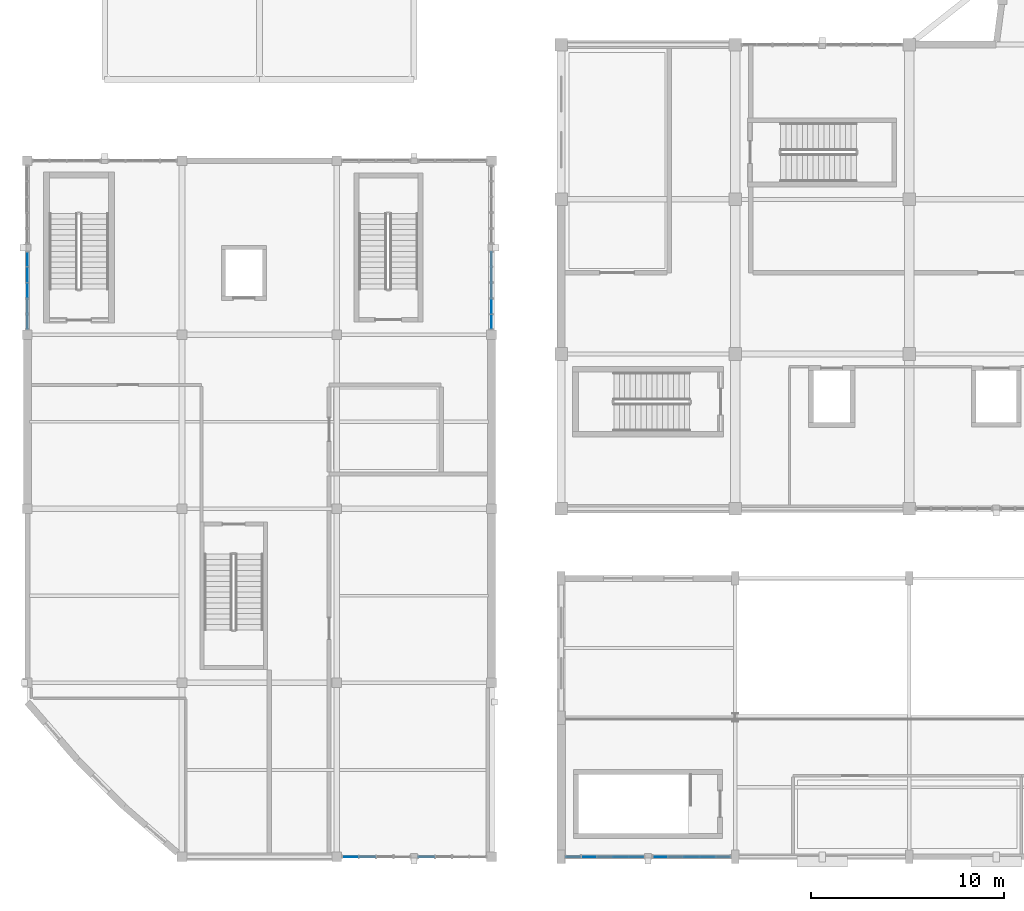
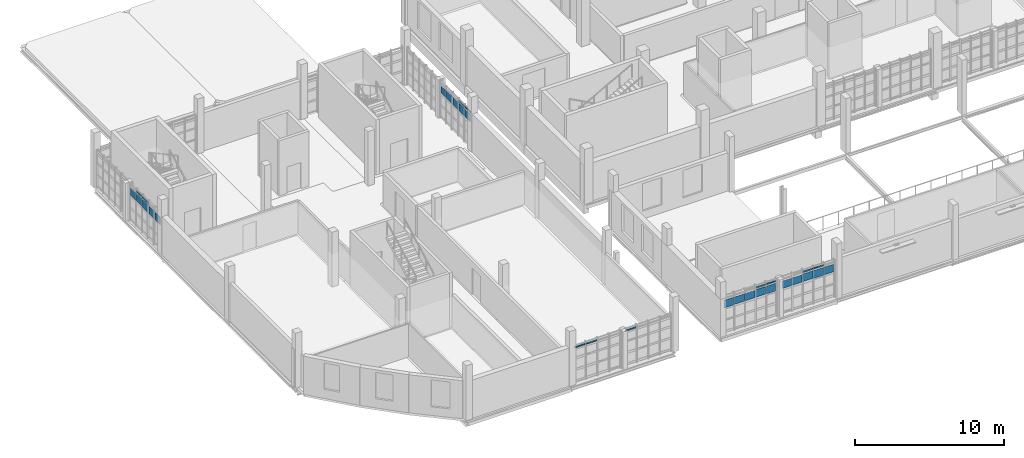
# One storey, part 95 of 125: 31 plates, 6 elements without a shape of their own.
"""IFC4 building model written with IfcOpenShell, lengths in metres."""

from ifc_helpers import new_model, si_unit, direction, frame, origin, origin_2d, place, context, subcontext, project, spatial, rectangle, extrude, material, layer, layer_set, type_object, element, aggregate, save


model = new_model("IFC4")

# Units and contexts
model_context = context("Model", 3, precision=1e-05, world=origin(), true_north=direction((0.0, 1.0)))
body_context = subcontext(model_context, "Body", "Model", "MODEL_VIEW")
ifc_project = project(units=[si_unit("LENGTHUNIT", "METRE"), si_unit("AREAUNIT", "SQUARE_METRE"), si_unit("VOLUMEUNIT", "CUBIC_METRE"), si_unit("PLANEANGLEUNIT", "RADIAN"), si_unit("MASSUNIT", "GRAM", prefix="KILO")], contexts=[model_context])

# Site, building, storey
site_placement = place(None, origin())
site = spatial("IfcSite", under=ifc_project, at=site_placement, CompositionType="ELEMENT")
building_placement = place(site_placement, origin())
building = spatial("IfcBuilding", under=site, at=building_placement, Name="Serraforn Aerial Cableway Station", CompositionType="ELEMENT")
storey_placement = place(building_placement, frame((0.0, 0.0, 4.5)))
storey = spatial("IfcBuildingStorey", under=building, at=storey_placement, Name="L01", CompositionType="ELEMENT", Elevation=4.5)

# Curtain wall, plates
ifc_material_1 = material(Name="Anodised bronze unitised curtain wall")
curtain_wall_type_1 = type_object("IfcCurtainWallType", Name="CW-SYS-20", PredefinedType="USERDEFINED", material=ifc_material_1)
curtain_wall_1_placement = place(storey_placement, origin())
curtain_wall_1 = element("IfcCurtainWall", 1, at=curtain_wall_1_placement, inside=storey, type_object=curtain_wall_type_1, Name="Unitised Curtain Wall CW-W-L01-W4B", ObjectType="UNITISED CURTAIN WALL", PredefinedType="USERDEFINED")
ifc_material_2 = material(Name="Solar-control low-E double glazing", Category="glass")
ifc_layer_1 = layer(ifc_material_2, 0.02587890625)
ifc_layer_set_1 = layer_set([ifc_layer_1], Name="Solar-control low-E double glazing")
plate_type_1 = type_object("IfcPlateType", Name="CW-GLZ-1", PredefinedType="CURTAIN_PANEL", material=ifc_layer_set_1)
plate_1_placement = place(storey_placement, frame((0.0, 30.099609375, 2.798583984375), z_axis=(0.0, 0.0, 1.0), x_axis=(1.0, 0.0, 0.0)))
plate_1 = element("IfcPlate", 2, at=plate_1_placement, type_object=plate_type_1, Name="Curtain Wall Panel CW-W-L01-W4B-P2-4", PredefinedType="CURTAIN_PANEL", context=body_context, shape_type="SweptSolid", body=[
    extrude(rectangle(XDim=0.02587890625, YDim=0.755859375, at=origin_2d()), origin(), (0.0, 0.0, 1.0), 0.138671875),
])
plate_2_placement = place(storey_placement, frame((0.0, 29.285400390625, 2.0498046875), z_axis=(0.0, 0.0, 1.0), x_axis=(1.0, 0.0, 0.0)))
plate_2 = element("IfcPlate", 3, at=plate_2_placement, type_object=plate_type_1, Name="Curtain Wall Panel CW-W-L01-W4B-P3-3", PredefinedType="CURTAIN_PANEL", context=body_context, shape_type="SweptSolid", body=[
    extrude(rectangle(XDim=0.02587890625, YDim=0.7509765625, at=origin_2d()), origin(), (0.0, 0.0, 1.0), 0.6376953125),
])

curtain_wall_type_2 = type_object("IfcCurtainWallType", Name="CW-SYS-21", PredefinedType="USERDEFINED", material=ifc_material_1)
curtain_wall_2_placement = place(storey_placement, origin())
curtain_wall_2 = element("IfcCurtainWall", 4, at=curtain_wall_2_placement, inside=storey, type_object=curtain_wall_type_2, Name="Unitised Curtain Wall CW-W-L01-E4A", ObjectType="UNITISED CURTAIN WALL", PredefinedType="USERDEFINED")
plate_3_placement = place(storey_placement, frame((24.0, 27.6689453125, 2.798583984375), z_axis=(0.0, 0.0, 1.0), x_axis=(1.0, 0.0, 0.0)))
plate_3 = element("IfcPlate", 5, at=plate_3_placement, type_object=plate_type_1, Name="Curtain Wall Panel CW-W-L01-E4A-P1-4", PredefinedType="CURTAIN_PANEL", context=body_context, shape_type="SweptSolid", body=[
    extrude(rectangle(XDim=0.02587890625, YDim=0.725830078125, at=origin_2d()), origin(), (0.0, 0.0, 1.0), 0.138671875),
])
plate_4_placement = place(storey_placement, frame((24.0, 28.468505859375, 2.0498046875), z_axis=(0.0, 0.0, 1.0), x_axis=(1.0, 0.0, 0.0)))
plate_4 = element("IfcPlate", 6, at=plate_4_placement, type_object=plate_type_1, Name="Curtain Wall Panel CW-W-L01-E4A-P2-3", PredefinedType="CURTAIN_PANEL", context=body_context, shape_type="SweptSolid", body=[
    extrude(rectangle(XDim=0.02587890625, YDim=0.7509765625, at=origin_2d()), origin(), (0.0, 0.0, 1.0), 0.6376953125),
])

# Curtain wall, plate
curtain_wall_type_3 = type_object("IfcCurtainWallType", Name="CW-SYS-25", PredefinedType="USERDEFINED", material=ifc_material_1)
curtain_wall_3_placement = place(storey_placement, origin())
curtain_wall_3 = element("IfcCurtainWall", 7, at=curtain_wall_3_placement, inside=storey, type_object=curtain_wall_type_3, Name="Unitised Curtain Wall CW-CF-L01-S1A", ObjectType="UNITISED CURTAIN WALL", PredefinedType="USERDEFINED")
plate_5_placement = place(storey_placement, frame((29.03955078125, 0.0, 2.062255859375), z_axis=(0.0, 0.0, 1.0), x_axis=(1.0, 0.0, 0.0)))
plate_5 = element("IfcPlate", 8, at=plate_5_placement, type_object=plate_type_1, Name="Curtain Wall Panel CW-CF-L01-S1A-P2-3", PredefinedType="CURTAIN_PANEL", context=body_context, shape_type="SweptSolid", body=[
    extrude(rectangle(XDim=0.763427734375, YDim=0.02587890625, at=origin_2d()), origin(), (0.0, 0.0, 1.0), 0.6103515625),
])

curtain_wall_type_4 = type_object("IfcCurtainWallType", Name="CW-SYS-26", PredefinedType="USERDEFINED", material=ifc_material_1)
curtain_wall_4_placement = place(storey_placement, origin())
curtain_wall_4 = element("IfcCurtainWall", 9, at=curtain_wall_4_placement, inside=storey, type_object=curtain_wall_type_4, Name="Unitised Curtain Wall CW-CF-L01-S1B", ObjectType="UNITISED CURTAIN WALL", PredefinedType="USERDEFINED")
plate_6_placement = place(storey_placement, frame((32.7158203125, 0.0, 2.062255859375), z_axis=(0.0, 0.0, 1.0), x_axis=(1.0, 0.0, 0.0)))
plate_6 = element("IfcPlate", 10, at=plate_6_placement, type_object=plate_type_1, Name="Curtain Wall Panel CW-CF-L01-S1B-P1-3", PredefinedType="CURTAIN_PANEL", context=body_context, shape_type="SweptSolid", body=[
    extrude(rectangle(XDim=0.725830078125, YDim=0.02587890625, at=origin_2d()), origin(), (0.0, 0.0, 1.0), 0.6103515625),
])

# Plate
ifc_layer_2 = layer(ifc_material_2, 0.028076171875)
ifc_layer_set_2 = layer_set([ifc_layer_2], Name="Solar-control low-E double glazing")
plate_type_2 = type_object("IfcPlateType", Name="CW-GLZ-2", PredefinedType="CURTAIN_PANEL", material=ifc_layer_set_2)
plate_7_placement = place(storey_placement, frame((0.0, 29.285400390625, 2.8037109375), z_axis=(0.0, 0.0, 1.0), x_axis=(1.0, 0.0, 0.0)))
plate_7 = element("IfcPlate", 11, at=plate_7_placement, type_object=plate_type_2, Name="Curtain Wall Panel CW-W-L01-W4B-P3-4", PredefinedType="CURTAIN_PANEL", context=body_context, shape_type="SweptSolid", body=[
    extrude(rectangle(XDim=0.028076171875, YDim=0.7509765625, at=origin_2d()), origin(), (0.0, 0.0, 1.0), 0.126220703125),
])

plate_8_placement = place(storey_placement, frame((0.0, 28.470947265625, 2.0546875), z_axis=(0.0, 0.0, 1.0), x_axis=(1.0, 0.0, 0.0)))
plate_8 = element("IfcPlate", 12, at=plate_8_placement, type_object=plate_type_2, Name="Curtain Wall Panel CW-W-L01-W4B-P4-3", PredefinedType="CURTAIN_PANEL", context=body_context, shape_type="SweptSolid", body=[
    extrude(rectangle(XDim=0.028076171875, YDim=0.745849609375, at=origin_2d()), origin(), (0.0, 0.0, 1.0), 0.625244140625),
])

plate_9_placement = place(storey_placement, frame((24.0, 28.468505859375, 2.8037109375), z_axis=(0.0, 0.0, 1.0), x_axis=(1.0, 0.0, 0.0)))
plate_9 = element("IfcPlate", 13, at=plate_9_placement, type_object=plate_type_2, Name="Curtain Wall Panel CW-W-L01-E4A-P2-4", PredefinedType="CURTAIN_PANEL", context=body_context, shape_type="SweptSolid", body=[
    extrude(rectangle(XDim=0.028076171875, YDim=0.7509765625, at=origin_2d()), origin(), (0.0, 0.0, 1.0), 0.126220703125),
])

plate_10_placement = place(storey_placement, frame((24.0, 29.28271484375, 2.0546875), z_axis=(0.0, 0.0, 1.0), x_axis=(1.0, 0.0, 0.0)))
plate_10 = element("IfcPlate", 14, at=plate_10_placement, type_object=plate_type_2, Name="Curtain Wall Panel CW-W-L01-E4A-P3-3", PredefinedType="CURTAIN_PANEL", context=body_context, shape_type="SweptSolid", body=[
    extrude(rectangle(XDim=0.028076171875, YDim=0.745849609375, at=origin_2d()), origin(), (0.0, 0.0, 1.0), 0.625244140625),
])

plate_11_placement = place(storey_placement, frame((29.857666015625, 0.0, 2.06982421875), z_axis=(0.0, 0.0, 1.0), x_axis=(1.0, 0.0, 0.0)))
plate_11 = element("IfcPlate", 15, at=plate_11_placement, type_object=plate_type_2, Name="Curtain Wall Panel CW-CF-L01-S1A-P3-3", PredefinedType="CURTAIN_PANEL", context=body_context, shape_type="SweptSolid", body=[
    extrude(rectangle(XDim=0.77099609375, YDim=0.028076171875, at=origin_2d()), origin(), (0.0, 0.0, 1.0), 0.59521484375),
])

plate_12_placement = place(storey_placement, frame((33.515380859375, 0.0, 2.06982421875), z_axis=(0.0, 0.0, 1.0), x_axis=(1.0, 0.0, 0.0)))
plate_12 = element("IfcPlate", 16, at=plate_12_placement, type_object=plate_type_2, Name="Curtain Wall Panel CW-CF-L01-S1B-P2-3", PredefinedType="CURTAIN_PANEL", context=body_context, shape_type="SweptSolid", body=[
    extrude(rectangle(XDim=0.77099609375, YDim=0.028076171875, at=origin_2d()), origin(), (0.0, 0.0, 1.0), 0.59521484375),
])

ifc_layer_3 = layer(ifc_material_2, 0.030029296875)
ifc_layer_set_3 = layer_set([ifc_layer_3], Name="Solar-control low-E double glazing")
plate_type_3 = type_object("IfcPlateType", Name="CW-GLZ-3", PredefinedType="CURTAIN_PANEL", material=ifc_layer_set_3)
plate_13_placement = place(storey_placement, frame((0.0, 27.663818359375, 2.062255859375), z_axis=(0.0, 0.0, 1.0), x_axis=(1.0, 0.0, 0.0)))
plate_13 = element("IfcPlate", 17, at=plate_13_placement, type_object=plate_type_3, Name="Curtain Wall Panel CW-W-L01-W4B-P5-3", PredefinedType="CURTAIN_PANEL", context=body_context, shape_type="SweptSolid", body=[
    extrude(rectangle(XDim=0.030029296875, YDim=0.725830078125, at=origin_2d()), origin(), (0.0, 0.0, 1.0), 0.6103515625),
])

plate_14_placement = place(storey_placement, frame((24.0, 30.103515625, 2.062255859375), z_axis=(0.0, 0.0, 1.0), x_axis=(1.0, 0.0, 0.0)))
plate_14 = element("IfcPlate", 18, at=plate_14_placement, type_object=plate_type_3, Name="Curtain Wall Panel CW-W-L01-E4A-P4-3", PredefinedType="CURTAIN_PANEL", context=body_context, shape_type="SweptSolid", body=[
    extrude(rectangle(XDim=0.030029296875, YDim=0.75341796875, at=origin_2d()), origin(), (0.0, 0.0, 1.0), 0.6103515625),
])

plate_15_placement = place(storey_placement, frame((30.68212890625, 0.0, 2.077392578125), z_axis=(0.0, 0.0, 1.0), x_axis=(1.0, 0.0, 0.0)))
plate_15 = element("IfcPlate", 19, at=plate_15_placement, type_object=plate_type_3, Name="Curtain Wall Panel CW-CF-L01-S1A-P4-3", PredefinedType="CURTAIN_PANEL", context=body_context, shape_type="SweptSolid", body=[
    extrude(rectangle(XDim=0.765869140625, YDim=0.030029296875, at=origin_2d()), origin(), (0.0, 0.0, 1.0), 0.615234375),
])

plate_16_placement = place(storey_placement, frame((34.33984375, 0.0, 2.077392578125), z_axis=(0.0, 0.0, 1.0), x_axis=(1.0, 0.0, 0.0)))
plate_16 = element("IfcPlate", 20, at=plate_16_placement, type_object=plate_type_3, Name="Curtain Wall Panel CW-CF-L01-S1B-P3-3", PredefinedType="CURTAIN_PANEL", context=body_context, shape_type="SweptSolid", body=[
    extrude(rectangle(XDim=0.765869140625, YDim=0.030029296875, at=origin_2d()), origin(), (0.0, 0.0, 1.0), 0.615234375),
])

ifc_layer_4 = layer(ifc_material_2, 0.031982421875)
ifc_layer_set_4 = layer_set([ifc_layer_4], Name="Solar-control low-E double glazing")
plate_type_4 = type_object("IfcPlateType", Name="CW-GLZ-4", PredefinedType="CURTAIN_PANEL", material=ifc_layer_set_4)
plate_17_placement = place(storey_placement, frame((24.0, 30.896484375, 2.06982421875), z_axis=(0.0, 0.0, 1.0), x_axis=(1.0, 0.0, 0.0)))
plate_17 = element("IfcPlate", 21, at=plate_17_placement, type_object=plate_type_4, Name="Curtain Wall Panel CW-W-L01-E4A-P5-3", PredefinedType="CURTAIN_PANEL", context=body_context, shape_type="SweptSolid", body=[
    extrude(rectangle(XDim=0.031982421875, YDim=0.73095703125, at=origin_2d()), origin(), (0.0, 0.0, 1.0), 0.59521484375),
])

plate_18_placement = place(storey_placement, frame((30.68212890625, 0.0, 2.798583984375), z_axis=(0.0, 0.0, 1.0), x_axis=(1.0, 0.0, 0.0)))
plate_18 = element("IfcPlate", 22, at=plate_18_placement, type_object=plate_type_4, Name="Curtain Wall Panel CW-CF-L01-S1A-P4-4", PredefinedType="CURTAIN_PANEL", context=body_context, shape_type="SweptSolid", body=[
    extrude(rectangle(XDim=0.765869140625, YDim=0.031982421875, at=origin_2d()), origin(), (0.0, 0.0, 1.0), 0.138671875),
])

plate_19_placement = place(storey_placement, frame((31.489013671875, 0.0, 2.0498046875), z_axis=(0.0, 0.0, 1.0), x_axis=(1.0, 0.0, 0.0)))
plate_19 = element("IfcPlate", 23, at=plate_19_placement, type_object=plate_type_4, Name="Curtain Wall Panel CW-CF-L01-S1A-P5-3", PredefinedType="CURTAIN_PANEL", context=body_context, shape_type="SweptSolid", body=[
    extrude(rectangle(XDim=0.725830078125, YDim=0.031982421875, at=origin_2d()), origin(), (0.0, 0.0, 1.0), 0.6376953125),
])

plate_20_placement = place(storey_placement, frame((34.33984375, 0.0, 2.798583984375), z_axis=(0.0, 0.0, 1.0), x_axis=(1.0, 0.0, 0.0)))
plate_20 = element("IfcPlate", 24, at=plate_20_placement, type_object=plate_type_4, Name="Curtain Wall Panel CW-CF-L01-S1B-P3-4", PredefinedType="CURTAIN_PANEL", context=body_context, shape_type="SweptSolid", body=[
    extrude(rectangle(XDim=0.765869140625, YDim=0.031982421875, at=origin_2d()), origin(), (0.0, 0.0, 1.0), 0.138671875),
])

plate_21_placement = place(storey_placement, frame((35.1640625, 0.0, 2.0498046875), z_axis=(0.0, 0.0, 1.0), x_axis=(1.0, 0.0, 0.0)))
plate_21 = element("IfcPlate", 25, at=plate_21_placement, type_object=plate_type_4, Name="Curtain Wall Panel CW-CF-L01-S1B-P4-3", PredefinedType="CURTAIN_PANEL", context=body_context, shape_type="SweptSolid", body=[
    extrude(rectangle(XDim=0.760986328125, YDim=0.031982421875, at=origin_2d()), origin(), (0.0, 0.0, 1.0), 0.6376953125),
])

ifc_layer_5 = layer(ifc_material_2, 0.033935546875)
ifc_layer_set_5 = layer_set([ifc_layer_5], Name="Solar-control low-E double glazing")
plate_type_5 = type_object("IfcPlateType", Name="CW-GLZ-5", PredefinedType="CURTAIN_PANEL", material=ifc_layer_set_5)
plate_22_placement = place(storey_placement, frame((31.489013671875, 0.0, 2.8037109375), z_axis=(0.0, 0.0, 1.0), x_axis=(1.0, 0.0, 0.0)))
plate_22 = element("IfcPlate", 26, at=plate_22_placement, type_object=plate_type_5, Name="Curtain Wall Panel CW-CF-L01-S1A-P5-4", PredefinedType="CURTAIN_PANEL", context=body_context, shape_type="SweptSolid", body=[
    extrude(rectangle(XDim=0.725830078125, YDim=0.033935546875, at=origin_2d()), origin(), (0.0, 0.0, 1.0), 0.126220703125),
])

plate_23_placement = place(storey_placement, frame((35.1640625, 0.0, 2.8037109375), z_axis=(0.0, 0.0, 1.0), x_axis=(1.0, 0.0, 0.0)))
plate_23 = element("IfcPlate", 27, at=plate_23_placement, type_object=plate_type_5, Name="Curtain Wall Panel CW-CF-L01-S1B-P4-4", PredefinedType="CURTAIN_PANEL", context=body_context, shape_type="SweptSolid", body=[
    extrude(rectangle(XDim=0.760986328125, YDim=0.033935546875, at=origin_2d()), origin(), (0.0, 0.0, 1.0), 0.126220703125),
])

plate_24_placement = place(storey_placement, frame((35.9697265625, 0.0, 2.0546875), z_axis=(0.0, 0.0, 1.0), x_axis=(1.0, 0.0, 0.0)))
plate_24 = element("IfcPlate", 28, at=plate_24_placement, type_object=plate_type_5, Name="Curtain Wall Panel CW-CF-L01-S1B-P5-3", PredefinedType="CURTAIN_PANEL", context=body_context, shape_type="SweptSolid", body=[
    extrude(rectangle(XDim=0.718505859375, YDim=0.033935546875, at=origin_2d()), origin(), (0.0, 0.0, 1.0), 0.625244140625),
])

aggregate(curtain_wall_4, [plate_6, plate_12, plate_16, plate_20, plate_21, plate_23, plate_24])

# Curtain wall, plate
curtain_wall_type_5 = type_object("IfcCurtainWallType", Name="CW-SYS-11", PredefinedType="USERDEFINED", material=ifc_material_1)
curtain_wall_5_placement = place(storey_placement, origin())
curtain_wall_5 = element("IfcCurtainWall", 29, at=curtain_wall_5_placement, inside=storey, type_object=curtain_wall_type_5, Name="Unitised Curtain Wall CW-W-L01-S3A", ObjectType="UNITISED CURTAIN WALL", PredefinedType="USERDEFINED")
ifc_layer_6 = layer(ifc_material_2, 0.029052734375)
ifc_layer_set_6 = layer_set([ifc_layer_6], Name="Solar-control low-E double glazing")
plate_type_6 = type_object("IfcPlateType", Name="CW-GLZ-7", PredefinedType="CURTAIN_PANEL", material=ifc_layer_set_6)
plate_25_placement = place(storey_placement, frame((16.708251953125, 0.0, 2.798583984375), z_axis=(0.0, 0.0, 1.0), x_axis=(1.0, 0.0, 0.0)))
plate_25 = element("IfcPlate", 30, at=plate_25_placement, type_object=plate_type_6, Name="Curtain Wall Panel CW-W-L01-S3A-P1-4", PredefinedType="CURTAIN_PANEL", context=body_context, shape_type="SweptSolid", body=[
    extrude(rectangle(XDim=0.804443359375, YDim=0.029052734375, at=origin_2d()), origin(), (0.0, 0.0, 1.0), 0.138671875),
])

# Plate
plate_26_placement = place(storey_placement, frame((0.0, 30.900390625, 2.06982421875), z_axis=(0.0, 0.0, 1.0), x_axis=(1.0, 0.0, 0.0)))
plate_26 = element("IfcPlate", 31, at=plate_26_placement, type_object=plate_type_6, Name="Curtain Wall Panel CW-W-L01-W4B-P1-3", PredefinedType="CURTAIN_PANEL", context=body_context, shape_type="SweptSolid", body=[
    extrude(rectangle(XDim=0.029052734375, YDim=0.7333984375, at=origin_2d()), origin(), (0.0, 0.0, 1.0), 0.59521484375),
])

ifc_layer_7 = layer(ifc_material_2, 0.031005859375)
ifc_layer_set_7 = layer_set([ifc_layer_7], Name="Solar-control low-E double glazing")
plate_type_7 = type_object("IfcPlateType", Name="CW-GLZ-8", PredefinedType="CURTAIN_PANEL", material=ifc_layer_set_7)
plate_27_placement = place(storey_placement, frame((17.586181640625, 0.0, 2.8037109375), z_axis=(0.0, 0.0, 1.0), x_axis=(1.0, 0.0, 0.0)))
plate_27 = element("IfcPlate", 32, at=plate_27_placement, type_object=plate_type_7, Name="Curtain Wall Panel CW-W-L01-S3A-P2-4", PredefinedType="CURTAIN_PANEL", context=body_context, shape_type="SweptSolid", body=[
    extrude(rectangle(XDim=0.82958984375, YDim=0.031005859375, at=origin_2d()), origin(), (0.0, 0.0, 1.0), 0.126220703125),
])

aggregate(curtain_wall_5, [plate_25, plate_27])

# Curtain wall, plate
curtain_wall_type_6 = type_object("IfcCurtainWallType", Name="CW-SYS-12", PredefinedType="USERDEFINED", material=ifc_material_1)
curtain_wall_6_placement = place(storey_placement, origin())
curtain_wall_6 = element("IfcCurtainWall", 33, at=curtain_wall_6_placement, inside=storey, type_object=curtain_wall_type_6, Name="Unitised Curtain Wall CW-W-L01-S3B", ObjectType="UNITISED CURTAIN WALL", PredefinedType="USERDEFINED")
plate_28_placement = place(storey_placement, frame((20.6416015625, 0.0, 2.8037109375), z_axis=(0.0, 0.0, 1.0), x_axis=(1.0, 0.0, 0.0)))
plate_28 = element("IfcPlate", 34, at=plate_28_placement, type_object=plate_type_7, Name="Curtain Wall Panel CW-W-L01-S3B-P1-4", PredefinedType="CURTAIN_PANEL", context=body_context, shape_type="SweptSolid", body=[
    extrude(rectangle(XDim=0.797119140625, YDim=0.031005859375, at=origin_2d()), origin(), (0.0, 0.0, 1.0), 0.126220703125),
])
aggregate(curtain_wall_6, [plate_28])

# Plate
plate_29_placement = place(storey_placement, frame((0.0, 30.099609375, 2.077392578125), z_axis=(0.0, 0.0, 1.0), x_axis=(1.0, 0.0, 0.0)))
plate_29 = element("IfcPlate", 35, at=plate_29_placement, type_object=plate_type_7, Name="Curtain Wall Panel CW-W-L01-W4B-P2-3", PredefinedType="CURTAIN_PANEL", context=body_context, shape_type="SweptSolid", body=[
    extrude(rectangle(XDim=0.031005859375, YDim=0.755859375, at=origin_2d()), origin(), (0.0, 0.0, 1.0), 0.615234375),
])

aggregate(curtain_wall_1, [plate_26, plate_29, plate_1, plate_2, plate_7, plate_8, plate_13])

plate_30_placement = place(storey_placement, frame((24.0, 27.6689453125, 2.077392578125), z_axis=(0.0, 0.0, 1.0), x_axis=(1.0, 0.0, 0.0)))
plate_30 = element("IfcPlate", 36, at=plate_30_placement, type_object=plate_type_7, Name="Curtain Wall Panel CW-W-L01-E4A-P1-3", PredefinedType="CURTAIN_PANEL", context=body_context, shape_type="SweptSolid", body=[
    extrude(rectangle(XDim=0.031005859375, YDim=0.725830078125, at=origin_2d()), origin(), (0.0, 0.0, 1.0), 0.615234375),
])

aggregate(curtain_wall_2, [plate_30, plate_3, plate_4, plate_9, plate_10, plate_14, plate_17])

plate_31_placement = place(storey_placement, frame((28.226318359375, 0.0, 2.0546875), z_axis=(0.0, 0.0, 1.0), x_axis=(1.0, 0.0, 0.0)))
plate_31 = element("IfcPlate", 37, at=plate_31_placement, type_object=plate_type_7, Name="Curtain Wall Panel CW-CF-L01-S1A-P1-3", PredefinedType="CURTAIN_PANEL", context=body_context, shape_type="SweptSolid", body=[
    extrude(rectangle(XDim=0.720947265625, YDim=0.031005859375, at=origin_2d()), origin(), (0.0, 0.0, 1.0), 0.625244140625),
])

aggregate(curtain_wall_3, [plate_31, plate_5, plate_11, plate_15, plate_18, plate_19, plate_22])

save(model, "model.ifc")
